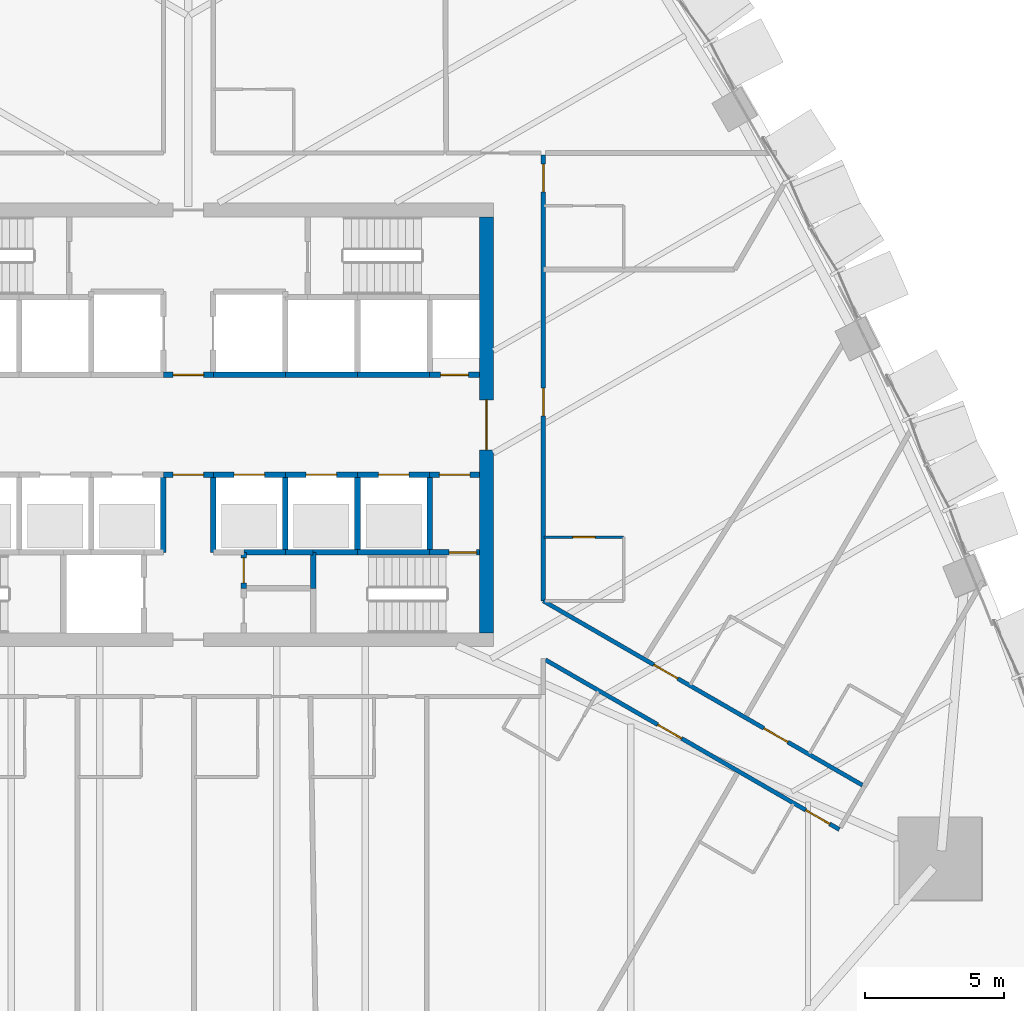
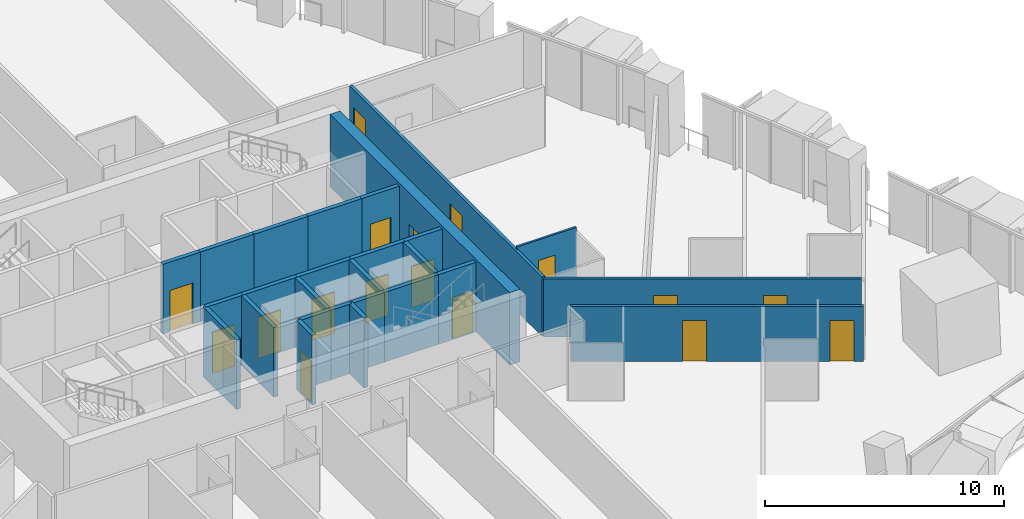
# One storey, part 16 of 23: 27 walls, 17 doors, 17 openings.
"""IFC4 building model written with IfcOpenShell, lengths in metres."""

from ifc_helpers import new_model, si_unit, direction, frame, frame_2d, origin, place, context, subcontext, project, spatial, rectangle, extrude, material, layer, layer_set, type_object, element, fill, save


model = new_model("IFC4")

# Units and contexts
model_context = context("Model", 3, precision=1e-05, world=origin(), true_north=direction((0.0, 1.0)))
body_context = subcontext(model_context, "Body", "Model", "MODEL_VIEW")
ifc_project = project(units=[si_unit("LENGTHUNIT", "METRE"), si_unit("AREAUNIT", "SQUARE_METRE"), si_unit("VOLUMEUNIT", "CUBIC_METRE"), si_unit("PLANEANGLEUNIT", "RADIAN"), si_unit("MASSUNIT", "GRAM", prefix="KILO")], contexts=[model_context])

# Site, building, storey
site_placement = place(None, origin())
site = spatial("IfcSite", under=ifc_project, at=site_placement, CompositionType="ELEMENT")
building_placement = place(site_placement, origin())
building = spatial("IfcBuilding", under=site, at=building_placement, Name="Sierra Prisma Convention Tower", CompositionType="ELEMENT")
storey_placement = place(building_placement, frame((0.0, 0.0, 51.699951171875)))
storey = spatial("IfcBuildingStorey", under=building, at=storey_placement, Name="L08", CompositionType="ELEMENT", Elevation=51.699951171875)

# Wall, opening, door
ifc_material_1 = material(Name="Gypsum board partition", Category="gypsum")
ifc_layer_1 = layer(ifc_material_1, 0.10009765625)
ifc_layer_set_1 = layer_set([ifc_layer_1], Name="Bathroom partition 100")
wall_type_1 = type_object("IfcWallType", Name="Bathroom partition 100", PredefinedType="PARTITIONING", material=ifc_layer_set_1)
wall_1_placement = place(storey_placement, frame((12.830078125, -4.05078125, 0.0), z_axis=(0.0, 0.0, 1.0), x_axis=(1.0, 0.0, 0.0)))
wall_1 = element("IfcWall", 1, at=wall_1_placement, inside=storey, type_object=wall_type_1, Name="Partition L08 bath 28", PredefinedType="PARTITIONING", context=body_context, shape_type="SweptSolid", body=[
    extrude(rectangle(XDim=2.869873046875, YDim=0.10009765625, at=frame_2d((1.43505859375, 0.0))), origin(), (0.0, 0.0, 1.0), 3.150146484375),
])
opening_1_placement = place(wall_1_placement, frame((1.034912109375, 0.0, 0.0)))
opening_1 = element("IfcOpeningElement", 2, at=opening_1_placement, cuts=wall_1, Name="Opening L08-D001", PredefinedType="OPENING", context=body_context, shape_type="SweptSolid", body=[
    extrude(rectangle(XDim=0.800048828125, YDim=2.10009765625, at=frame_2d((0.39990234375, 1.050048828125))), frame((0.0, 0.050048828125, 0.0), z_axis=(0.0, -1.0, 0.0), x_axis=(1.0, 0.0, 0.0)), (0.0, 0.0, 1.0), 0.10009765625),
])
ifc_material_2 = material(Name="Solid core timber door leaf", Category="wood")
door_type_1 = type_object("IfcDoorType", Name="Door 800x2100 plain", OperationType="SINGLE_SWING_LEFT", PredefinedType="DOOR", material=ifc_material_2)
door_1_placement = place(opening_1_placement, origin())
door_1 = element("IfcDoor", 3, at=door_1_placement, inside=storey, type_object=door_type_1, Name="Door L08 2", OperationType="SINGLE_SWING_LEFT", OverallHeight=2.10009765625, OverallWidth=0.800048828125, PredefinedType="DOOR", context=body_context, shape_type="SweptSolid", body=[
    extrude(rectangle(XDim=0.800048828125, YDim=2.10009765625, at=frame_2d((0.39990234375, 1.050048828125))), frame((0.0, 0.02490234375, 0.0), z_axis=(0.0, -1.0, 0.0), x_axis=(1.0, 0.0, 0.0)), (0.0, 0.0, 1.0), 0.050048828125),
])
fill(opening_1, door_1)

# Wall
ifc_material_3 = material(Name="Concrete C30/37", Category="concrete")
ifc_layer_2 = layer(ifc_material_3, 0.199951171875)
ifc_layer_set_2 = layer_set([ifc_layer_2], Name="Core wall RC 200 C30/37")
wall_type_2 = type_object("IfcWallType", Name="Core wall RC 200 C30/37", PredefinedType="SOLIDWALL", material=ifc_layer_set_2)
wall_2_placement = place(storey_placement, frame((-0.89990234375, -4.60009765625, 0.0), z_axis=(0.0, 0.0, 1.0), x_axis=(0.0, 1.0, 0.0)))
element("IfcWall", 4, at=wall_2_placement, inside=storey, type_object=wall_type_2, Name="Core wall L08 31", PredefinedType="SOLIDWALL", context=body_context, shape_type="SweptSolid", body=[
    extrude(rectangle(XDim=2.800048828125, YDim=0.199951171875, at=frame_2d((1.39990234375, 0.0))), origin(), (0.0, 0.0, 1.0), 3.550048828125),
])

# Wall, opening, door
wall_3_placement = place(storey_placement, frame((-0.89990234375, -1.800048828125, 0.0), z_axis=(0.0, 0.0, 1.0), x_axis=(1.0, 0.0, 0.0)))
wall_3 = element("IfcWall", 5, at=wall_3_placement, inside=storey, type_object=wall_type_2, Name="Core wall L08 32", PredefinedType="SOLIDWALL", context=body_context, shape_type="SweptSolid", body=[
    extrude(rectangle(XDim=1.7998046875, YDim=0.199951171875, at=frame_2d((0.89990234375, 0.0))), origin(), (0.0, 0.0, 1.0), 3.550048828125),
])
opening_2_placement = place(wall_3_placement, frame((0.35009765625, 0.0, 0.0)))
opening_2 = element("IfcOpeningElement", 6, at=opening_2_placement, cuts=wall_3, Name="Opening L08-D030", PredefinedType="OPENING", context=body_context, shape_type="SweptSolid", body=[
    extrude(rectangle(XDim=1.10009765625, YDim=2.10009765625, at=frame_2d((0.550048828125, 1.050048828125))), frame((0.0, 0.10009765625, 0.0), z_axis=(0.0, -1.0, 0.0), x_axis=(1.0, 0.0, 0.0)), (0.0, 0.0, 1.0), 0.199951171875),
])
ifc_material_4 = material(Name="Steel fire door leaf", Category="steel")
door_type_2 = type_object("IfcDoorType", Name="Door 1100x2100 FD30S", OperationType="SINGLE_SWING_LEFT", PredefinedType="DOOR", material=ifc_material_4)
door_2_placement = place(opening_2_placement, origin())
door_2 = element("IfcDoor", 7, at=door_2_placement, inside=storey, type_object=door_type_2, Name="Door L08 50", OperationType="SINGLE_SWING_LEFT", OverallHeight=2.10009765625, OverallWidth=1.10009765625, PredefinedType="DOOR", context=body_context, shape_type="SweptSolid", body=[
    extrude(rectangle(XDim=1.10009765625, YDim=2.10009765625, at=frame_2d((0.550048828125, 1.050048828125))), frame((0.0, 0.02490234375, 0.0), z_axis=(0.0, -1.0, 0.0), x_axis=(1.0, 0.0, 0.0)), (0.0, 0.0, 1.0), 0.050048828125),
])
fill(opening_2, door_2)

wall_4_placement = place(storey_placement, frame((0.89990234375, 1.800048828125, 0.0), z_axis=(0.0, 0.0, 1.0), x_axis=(-1.0, 0.0, 0.0)))
wall_4 = element("IfcWall", 8, at=wall_4_placement, inside=storey, type_object=wall_type_2, Name="Core wall L08 33", PredefinedType="SOLIDWALL", context=body_context, shape_type="SweptSolid", body=[
    extrude(rectangle(XDim=1.7998046875, YDim=0.199951171875, at=frame_2d((0.89990234375, 0.0))), origin(), (0.0, 0.0, 1.0), 3.550048828125),
])
opening_3_placement = place(wall_4_placement, frame((0.35009765625, 0.0, 0.0)))
opening_3 = element("IfcOpeningElement", 9, at=opening_3_placement, cuts=wall_4, Name="Opening L08-D029", PredefinedType="OPENING", context=body_context, shape_type="SweptSolid", body=[
    extrude(rectangle(XDim=1.10009765625, YDim=2.10009765625, at=frame_2d((0.550048828125, 1.050048828125))), frame((0.0, 0.10009765625, 0.0), z_axis=(0.0, -1.0, 0.0), x_axis=(1.0, 0.0, 0.0)), (0.0, 0.0, 1.0), 0.199951171875),
])
ifc_material_5 = material(Name="Steel fire door leaf", Category="steel")
door_type_3 = type_object("IfcDoorType", Name="Door 1100x2100 FD60S", OperationType="SINGLE_SWING_LEFT", PredefinedType="DOOR", material=ifc_material_5)
door_3_placement = place(opening_3_placement, origin())
door_3 = element("IfcDoor", 10, at=door_3_placement, inside=storey, type_object=door_type_3, Name="Door L08 49", OperationType="SINGLE_SWING_RIGHT", OverallHeight=2.10009765625, OverallWidth=1.10009765625, PredefinedType="DOOR", context=body_context, shape_type="SweptSolid", body=[
    extrude(rectangle(XDim=1.10009765625, YDim=2.10009765625, at=frame_2d((0.550048828125, 1.050048828125))), frame((0.0, 0.02490234375, 0.0), z_axis=(0.0, -1.0, 0.0), x_axis=(1.0, 0.0, 0.0)), (0.0, 0.0, 1.0), 0.050048828125),
])
fill(opening_3, door_3)

wall_5_placement = place(storey_placement, frame((0.89990234375, -1.800048828125, 0.0), z_axis=(0.0, 0.0, 1.0), x_axis=(1.0, 0.0, 0.0)))
wall_5 = element("IfcWall", 11, at=wall_5_placement, inside=storey, type_object=wall_type_2, Name="Core wall L08 34", PredefinedType="SOLIDWALL", context=body_context, shape_type="SweptSolid", body=[
    extrude(rectangle(XDim=2.60009765625, YDim=0.199951171875, at=frame_2d((1.300048828125, 0.0))), origin(), (0.0, 0.0, 1.0), 3.550048828125),
])
opening_4_placement = place(wall_5_placement, frame((0.75, 0.0, 0.0)))
opening_4 = element("IfcOpeningElement", 12, at=opening_4_placement, cuts=wall_5, Name="Opening L08-D021", PredefinedType="OPENING", context=body_context, shape_type="SweptSolid", body=[
    extrude(rectangle(XDim=1.10009765625, YDim=2.10009765625, at=frame_2d((0.550048828125, 1.050048828125))), frame((0.0, 0.10009765625, 0.0), z_axis=(0.0, -1.0, 0.0), x_axis=(1.0, 0.0, 0.0)), (0.0, 0.0, 1.0), 0.199951171875),
])
ifc_material_6 = material(Name="Steel fire door leaf", Category="steel")
door_type_4 = type_object("IfcDoorType", Name="Door 1100x2100 EI 90 sliding lift landing", OperationType="SLIDING_TO_LEFT", PredefinedType="DOOR", material=ifc_material_6)
door_4_placement = place(opening_4_placement, origin())
door_4 = element("IfcDoor", 13, at=door_4_placement, inside=storey, type_object=door_type_4, Name="Door L08 41", OperationType="SLIDING_TO_LEFT", OverallHeight=2.10009765625, OverallWidth=1.10009765625, PredefinedType="DOOR", context=body_context, shape_type="SweptSolid", body=[
    extrude(rectangle(XDim=1.10009765625, YDim=2.10009765625, at=frame_2d((0.550048828125, 1.050048828125))), frame((0.0, 0.02490234375, 0.0), z_axis=(0.0, -1.0, 0.0), x_axis=(1.0, 0.0, 0.0)), (0.0, 0.0, 1.0), 0.050048828125),
])
fill(opening_4, door_4)

# Walls
wall_6_placement = place(storey_placement, frame((0.89990234375, -1.800048828125, 0.0), z_axis=(0.0, 0.0, 1.0), x_axis=(0.0, -1.0, 0.0)))
element("IfcWall", 14, at=wall_6_placement, inside=storey, type_object=wall_type_2, Name="Core wall L08 35", PredefinedType="SOLIDWALL", context=body_context, shape_type="SweptSolid", body=[
    extrude(rectangle(XDim=2.800048828125, YDim=0.199951171875, at=frame_2d((1.39990234375, 0.0))), origin(), (0.0, 0.0, 1.0), 3.550048828125),
])
wall_7_placement = place(storey_placement, frame((3.5, 1.800048828125, 0.0), z_axis=(0.0, 0.0, 1.0), x_axis=(-1.0, 0.0, 0.0)))
element("IfcWall", 15, at=wall_7_placement, inside=storey, type_object=wall_type_2, Name="Core wall L08 37", PredefinedType="SOLIDWALL", context=body_context, shape_type="SweptSolid", body=[
    extrude(rectangle(XDim=2.60009765625, YDim=0.199951171875, at=frame_2d((1.300048828125, 0.0))), origin(), (0.0, 0.0, 1.0), 3.550048828125),
])

# Wall, opening, door
wall_8_placement = place(storey_placement, frame((2.0, -4.60009765625, 0.0), z_axis=(0.0, 0.0, 1.0), x_axis=(0.0, -1.0, 0.0)))
wall_8 = element("IfcWall", 16, at=wall_8_placement, inside=storey, type_object=wall_type_2, Name="Core wall L08 43", PredefinedType="SOLIDWALL", context=body_context, shape_type="SweptSolid", body=[
    extrude(rectangle(XDim=1.2998046875, YDim=0.199951171875, at=frame_2d((0.64990234375, 0.0))), origin(), (0.0, 0.0, 1.0), 3.550048828125),
])
opening_5_placement = place(wall_8_placement, frame((0.199951171875, 0.0, 0.0)))
opening_5 = element("IfcOpeningElement", 17, at=opening_5_placement, cuts=wall_8, Name="Opening L08-D038", PredefinedType="OPENING", context=body_context, shape_type="SweptSolid", body=[
    extrude(rectangle(XDim=0.89990234375, YDim=2.10009765625, at=frame_2d((0.449951171875, 1.050048828125))), frame((0.0, 0.10009765625, 0.0), z_axis=(0.0, -1.0, 0.0), x_axis=(1.0, 0.0, 0.0)), (0.0, 0.0, 1.0), 0.199951171875),
])
ifc_material_7 = material(Name="Steel fire door leaf", Category="steel")
door_type_5 = type_object("IfcDoorType", Name="Door 900x2100 FD30S", OperationType="SINGLE_SWING_LEFT", PredefinedType="DOOR", material=ifc_material_7)
door_5_placement = place(opening_5_placement, origin())
door_5 = element("IfcDoor", 18, at=door_5_placement, inside=storey, type_object=door_type_5, Name="Door L08 58", OperationType="SINGLE_SWING_LEFT", OverallHeight=2.10009765625, OverallWidth=0.89990234375, PredefinedType="DOOR", context=body_context, shape_type="SweptSolid", body=[
    extrude(rectangle(XDim=0.89990234375, YDim=2.10009765625, at=frame_2d((0.449951171875, 1.050048828125))), frame((0.0, 0.02490234375, 0.0), z_axis=(0.0, -1.0, 0.0), x_axis=(1.0, 0.0, 0.0)), (0.0, 0.0, 1.0), 0.050048828125),
])
fill(opening_5, door_5)

# Walls
wall_9_placement = place(storey_placement, frame((3.5, -4.60009765625, 0.0), z_axis=(0.0, 0.0, 1.0), x_axis=(-1.0, 0.0, 0.0)))
element("IfcWall", 19, at=wall_9_placement, inside=storey, type_object=wall_type_2, Name="Core wall L08 44", PredefinedType="SOLIDWALL", context=body_context, shape_type="SweptSolid", body=[
    extrude(rectangle(XDim=1.5, YDim=0.199951171875, at=frame_2d((0.75, 0.0))), origin(), (0.0, 0.0, 1.0), 3.550048828125),
])
wall_10_placement = place(storey_placement, frame((4.5, -4.60009765625, 0.0), z_axis=(0.0, 0.0, 1.0), x_axis=(-1.0, 0.0, 0.0)))
element("IfcWall", 20, at=wall_10_placement, inside=storey, type_object=wall_type_2, Name="Core wall L08 45", PredefinedType="SOLIDWALL", context=body_context, shape_type="SweptSolid", body=[
    extrude(rectangle(XDim=1.0, YDim=0.199951171875, at=frame_2d((0.5, 0.0))), origin(), (0.0, 0.0, 1.0), 3.550048828125),
])
wall_11_placement = place(storey_placement, frame((3.5, -4.60009765625, 0.0), z_axis=(0.0, 0.0, 1.0), x_axis=(0.0, 1.0, 0.0)))
element("IfcWall", 21, at=wall_11_placement, inside=storey, type_object=wall_type_2, Name="Core wall L08 46", PredefinedType="SOLIDWALL", context=body_context, shape_type="SweptSolid", body=[
    extrude(rectangle(XDim=2.800048828125, YDim=0.199951171875, at=frame_2d((1.39990234375, 0.0))), origin(), (0.0, 0.0, 1.0), 3.550048828125),
])

# Wall, opening, door
wall_12_placement = place(storey_placement, frame((3.5, -1.800048828125, 0.0), z_axis=(0.0, 0.0, 1.0), x_axis=(1.0, 0.0, 0.0)))
wall_12 = element("IfcWall", 22, at=wall_12_placement, inside=storey, type_object=wall_type_2, Name="Core wall L08 47", PredefinedType="SOLIDWALL", context=body_context, shape_type="SweptSolid", body=[
    extrude(rectangle(XDim=2.60009765625, YDim=0.199951171875, at=frame_2d((1.300048828125, 0.0))), origin(), (0.0, 0.0, 1.0), 3.550048828125),
])
opening_6_placement = place(wall_12_placement, frame((0.75, 0.0, 0.0)))
opening_6 = element("IfcOpeningElement", 23, at=opening_6_placement, cuts=wall_12, Name="Opening L08-D022", PredefinedType="OPENING", context=body_context, shape_type="SweptSolid", body=[
    extrude(rectangle(XDim=1.10009765625, YDim=2.10009765625, at=frame_2d((0.550048828125, 1.050048828125))), frame((0.0, 0.10009765625, 0.0), z_axis=(0.0, -1.0, 0.0), x_axis=(1.0, 0.0, 0.0)), (0.0, 0.0, 1.0), 0.199951171875),
])
door_6_placement = place(opening_6_placement, origin())
door_6 = element("IfcDoor", 24, at=door_6_placement, inside=storey, type_object=door_type_4, Name="Door L08 42", OperationType="SLIDING_TO_LEFT", OverallHeight=2.10009765625, OverallWidth=1.10009765625, PredefinedType="DOOR", context=body_context, shape_type="SweptSolid", body=[
    extrude(rectangle(XDim=1.10009765625, YDim=2.10009765625, at=frame_2d((0.550048828125, 1.050048828125))), frame((0.0, 0.02490234375, 0.0), z_axis=(0.0, -1.0, 0.0), x_axis=(1.0, 0.0, 0.0)), (0.0, 0.0, 1.0), 0.050048828125),
])
fill(opening_6, door_6)

# Walls
wall_13_placement = place(storey_placement, frame((6.10009765625, 1.800048828125, 0.0), z_axis=(0.0, 0.0, 1.0), x_axis=(-1.0, 0.0, 0.0)))
element("IfcWall", 25, at=wall_13_placement, inside=storey, type_object=wall_type_2, Name="Core wall L08 48", PredefinedType="SOLIDWALL", context=body_context, shape_type="SweptSolid", body=[
    extrude(rectangle(XDim=2.60009765625, YDim=0.199951171875, at=frame_2d((1.300048828125, 0.0))), origin(), (0.0, 0.0, 1.0), 3.550048828125),
])
wall_14_placement = place(storey_placement, frame((4.5, -5.89990234375, 0.0), z_axis=(0.0, 0.0, 1.0), x_axis=(0.0, 1.0, 0.0)))
element("IfcWall", 26, at=wall_14_placement, inside=storey, type_object=wall_type_2, Name="Core wall L08 54", PredefinedType="SOLIDWALL", context=body_context, shape_type="SweptSolid", body=[
    extrude(rectangle(XDim=1.2998046875, YDim=0.199951171875, at=frame_2d((0.64990234375, 0.0))), origin(), (0.0, 0.0, 1.0), 3.550048828125),
])
wall_15_placement = place(storey_placement, frame((4.5, -4.60009765625, 0.0), z_axis=(0.0, 0.0, 1.0), x_axis=(1.0, 0.0, 0.0)))
element("IfcWall", 27, at=wall_15_placement, inside=storey, type_object=wall_type_2, Name="Core wall L08 55", PredefinedType="SOLIDWALL", context=body_context, shape_type="SweptSolid", body=[
    extrude(rectangle(XDim=1.60009765625, YDim=0.199951171875, at=frame_2d((0.800048828125, 0.0))), origin(), (0.0, 0.0, 1.0), 3.550048828125),
])
wall_16_placement = place(storey_placement, frame((6.10009765625, -4.60009765625, 0.0), z_axis=(0.0, 0.0, 1.0), x_axis=(1.0, 0.0, 0.0)))
element("IfcWall", 28, at=wall_16_placement, inside=storey, type_object=wall_type_2, Name="Core wall L08 56", PredefinedType="SOLIDWALL", context=body_context, shape_type="SweptSolid", body=[
    extrude(rectangle(XDim=2.599853515625, YDim=0.199951171875, at=frame_2d((1.2998046875, 0.0))), origin(), (0.0, 0.0, 1.0), 3.550048828125),
])
wall_17_placement = place(storey_placement, frame((6.10009765625, -4.60009765625, 0.0), z_axis=(0.0, 0.0, 1.0), x_axis=(0.0, 1.0, 0.0)))
element("IfcWall", 29, at=wall_17_placement, inside=storey, type_object=wall_type_2, Name="Core wall L08 57", PredefinedType="SOLIDWALL", context=body_context, shape_type="SweptSolid", body=[
    extrude(rectangle(XDim=2.800048828125, YDim=0.199951171875, at=frame_2d((1.39990234375, 0.0))), origin(), (0.0, 0.0, 1.0), 3.550048828125),
])

# Wall, opening, door
wall_18_placement = place(storey_placement, frame((6.10009765625, -1.800048828125, 0.0), z_axis=(0.0, 0.0, 1.0), x_axis=(1.0, 0.0, 0.0)))
wall_18 = element("IfcWall", 30, at=wall_18_placement, inside=storey, type_object=wall_type_2, Name="Core wall L08 58", PredefinedType="SOLIDWALL", context=body_context, shape_type="SweptSolid", body=[
    extrude(rectangle(XDim=2.599853515625, YDim=0.199951171875, at=frame_2d((1.2998046875, 0.0))), origin(), (0.0, 0.0, 1.0), 3.550048828125),
])
opening_7_placement = place(wall_18_placement, frame((0.75, 0.0, 0.0)))
opening_7 = element("IfcOpeningElement", 31, at=opening_7_placement, cuts=wall_18, Name="Opening L08-D023", PredefinedType="OPENING", context=body_context, shape_type="SweptSolid", body=[
    extrude(rectangle(XDim=1.10009765625, YDim=2.10009765625, at=frame_2d((0.550048828125, 1.050048828125))), frame((0.0, 0.10009765625, 0.0), z_axis=(0.0, -1.0, 0.0), x_axis=(1.0, 0.0, 0.0)), (0.0, 0.0, 1.0), 0.199951171875),
])
door_7_placement = place(opening_7_placement, origin())
door_7 = element("IfcDoor", 32, at=door_7_placement, inside=storey, type_object=door_type_4, Name="Door L08 43", OperationType="SLIDING_TO_LEFT", OverallHeight=2.10009765625, OverallWidth=1.10009765625, PredefinedType="DOOR", context=body_context, shape_type="SweptSolid", body=[
    extrude(rectangle(XDim=1.10009765625, YDim=2.10009765625, at=frame_2d((0.550048828125, 1.050048828125))), frame((0.0, 0.02490234375, 0.0), z_axis=(0.0, -1.0, 0.0), x_axis=(1.0, 0.0, 0.0)), (0.0, 0.0, 1.0), 0.050048828125),
])
fill(opening_7, door_7)

# Wall
wall_19_placement = place(storey_placement, frame((8.699951171875, 1.800048828125, 0.0), z_axis=(0.0, 0.0, 1.0), x_axis=(-1.0, 0.0, 0.0)))
element("IfcWall", 33, at=wall_19_placement, inside=storey, type_object=wall_type_2, Name="Core wall L08 59", PredefinedType="SOLIDWALL", context=body_context, shape_type="SweptSolid", body=[
    extrude(rectangle(XDim=2.599853515625, YDim=0.199951171875, at=frame_2d((1.2998046875, 0.0))), origin(), (0.0, 0.0, 1.0), 3.550048828125),
])

# Wall, opening, door
wall_20_placement = place(storey_placement, frame((8.699951171875, -4.60009765625, 0.0), z_axis=(0.0, 0.0, 1.0), x_axis=(1.0, 0.0, 0.0)))
wall_20 = element("IfcWall", 34, at=wall_20_placement, inside=storey, type_object=wall_type_2, Name="Core wall L08 62", PredefinedType="SOLIDWALL", context=body_context, shape_type="SweptSolid", body=[
    extrude(rectangle(XDim=1.800048828125, YDim=0.199951171875, at=frame_2d((0.89990234375, 0.0))), origin(), (0.0, 0.0, 1.0), 3.550048828125),
])
opening_8_placement = place(wall_20_placement, frame((0.699951171875, 0.0, 0.0)))
opening_8 = element("IfcOpeningElement", 35, at=opening_8_placement, cuts=wall_20, Name="Opening L08-D034", PredefinedType="OPENING", context=body_context, shape_type="SweptSolid", body=[
    extrude(rectangle(XDim=1.0, YDim=2.10009765625, at=frame_2d((0.5, 1.050048828125))), frame((0.0, 0.10009765625, 0.0), z_axis=(0.0, -1.0, 0.0), x_axis=(1.0, 0.0, 0.0)), (0.0, 0.0, 1.0), 0.199951171875),
])
ifc_material_8 = material(Name="Steel fire door leaf", Category="steel")
door_type_6 = type_object("IfcDoorType", Name="Door 1000x2100 FD90S", OperationType="SINGLE_SWING_LEFT", PredefinedType="DOOR", material=ifc_material_8)
door_8_placement = place(opening_8_placement, origin())
door_8 = element("IfcDoor", 36, at=door_8_placement, inside=storey, type_object=door_type_6, Name="Door L08 54", OperationType="SINGLE_SWING_RIGHT", OverallHeight=2.10009765625, OverallWidth=1.0, PredefinedType="DOOR", context=body_context, shape_type="SweptSolid", body=[
    extrude(rectangle(XDim=1.0, YDim=2.10009765625, at=frame_2d((0.5, 1.050048828125))), frame((0.0, 0.02490234375, 0.0), z_axis=(0.0, -1.0, 0.0), x_axis=(1.0, 0.0, 0.0)), (0.0, 0.0, 1.0), 0.050048828125),
])
fill(opening_8, door_8)

# Wall
wall_21_placement = place(storey_placement, frame((8.699951171875, -1.800048828125, 0.0), z_axis=(0.0, 0.0, 1.0), x_axis=(0.0, -1.0, 0.0)))
element("IfcWall", 37, at=wall_21_placement, inside=storey, type_object=wall_type_2, Name="Core wall L08 63", PredefinedType="SOLIDWALL", context=body_context, shape_type="SweptSolid", body=[
    extrude(rectangle(XDim=2.800048828125, YDim=0.199951171875, at=frame_2d((1.39990234375, 0.0))), origin(), (0.0, 0.0, 1.0), 3.550048828125),
])

# Wall, opening, door
wall_22_placement = place(storey_placement, frame((8.699951171875, -1.800048828125, 0.0), z_axis=(0.0, 0.0, 1.0), x_axis=(1.0, 0.0, 0.0)))
wall_22 = element("IfcWall", 38, at=wall_22_placement, inside=storey, type_object=wall_type_2, Name="Core wall L08 64", PredefinedType="SOLIDWALL", context=body_context, shape_type="SweptSolid", body=[
    extrude(rectangle(XDim=1.800048828125, YDim=0.199951171875, at=frame_2d((0.89990234375, 0.0))), origin(), (0.0, 0.0, 1.0), 3.550048828125),
])
opening_9_placement = place(wall_22_placement, frame((0.35009765625, 0.0, 0.0)))
opening_9 = element("IfcOpeningElement", 39, at=opening_9_placement, cuts=wall_22, Name="Opening L08-D028", PredefinedType="OPENING", context=body_context, shape_type="SweptSolid", body=[
    extrude(rectangle(XDim=1.10009765625, YDim=2.10009765625, at=frame_2d((0.550048828125, 1.050048828125))), frame((0.0, 0.10009765625, 0.0), z_axis=(0.0, -1.0, 0.0), x_axis=(1.0, 0.0, 0.0)), (0.0, 0.0, 1.0), 0.199951171875),
])
ifc_material_9 = material(Name="Steel fire door leaf", Category="steel")
door_type_7 = type_object("IfcDoorType", Name="Door 1100x2100 FD90S", OperationType="SINGLE_SWING_LEFT", PredefinedType="DOOR", material=ifc_material_9)
door_9_placement = place(opening_9_placement, origin())
door_9 = element("IfcDoor", 40, at=door_9_placement, inside=storey, type_object=door_type_7, Name="Door L08 48", OperationType="SINGLE_SWING_RIGHT", OverallHeight=2.10009765625, OverallWidth=1.10009765625, PredefinedType="DOOR", context=body_context, shape_type="SweptSolid", body=[
    extrude(rectangle(XDim=1.10009765625, YDim=2.10009765625, at=frame_2d((0.550048828125, 1.050048828125))), frame((0.0, 0.02490234375, 0.0), z_axis=(0.0, -1.0, 0.0), x_axis=(1.0, 0.0, 0.0)), (0.0, 0.0, 1.0), 0.050048828125),
])
fill(opening_9, door_9)

wall_23_placement = place(storey_placement, frame((10.5, 1.800048828125, 0.0), z_axis=(0.0, 0.0, 1.0), x_axis=(-1.0, 0.0, 0.0)))
wall_23 = element("IfcWall", 41, at=wall_23_placement, inside=storey, type_object=wall_type_2, Name="Core wall L08 65", PredefinedType="SOLIDWALL", context=body_context, shape_type="SweptSolid", body=[
    extrude(rectangle(XDim=1.800048828125, YDim=0.199951171875, at=frame_2d((0.89990234375, 0.0))), origin(), (0.0, 0.0, 1.0), 3.550048828125),
])
opening_10_placement = place(wall_23_placement, frame((0.39990234375, 0.0, 0.0)))
opening_10 = element("IfcOpeningElement", 42, at=opening_10_placement, cuts=wall_23, Name="Opening L08-D032", PredefinedType="OPENING", context=body_context, shape_type="SweptSolid", body=[
    extrude(rectangle(XDim=1.0, YDim=2.10009765625, at=frame_2d((0.5, 1.050048828125))), frame((0.0, 0.10009765625, 0.0), z_axis=(0.0, -1.0, 0.0), x_axis=(1.0, 0.0, 0.0)), (0.0, 0.0, 1.0), 0.199951171875),
])
ifc_material_10 = material(Name="Steel fire door leaf", Category="steel")
door_type_8 = type_object("IfcDoorType", Name="Door 1000x2100 FD60S", OperationType="SINGLE_SWING_LEFT", PredefinedType="DOOR", material=ifc_material_10)
door_10_placement = place(opening_10_placement, origin())
door_10 = element("IfcDoor", 43, at=door_10_placement, inside=storey, type_object=door_type_8, Name="Door L08 52", OperationType="SINGLE_SWING_RIGHT", OverallHeight=2.10009765625, OverallWidth=1.0, PredefinedType="DOOR", context=body_context, shape_type="SweptSolid", body=[
    extrude(rectangle(XDim=1.0, YDim=2.10009765625, at=frame_2d((0.5, 1.050048828125))), frame((0.0, 0.02490234375, 0.0), z_axis=(0.0, -1.0, 0.0), x_axis=(1.0, 0.0, 0.0)), (0.0, 0.0, 1.0), 0.050048828125),
])
fill(opening_10, door_10)

ifc_material_11 = material(Name="Concrete C60/75", Category="concrete")
ifc_layer_3 = layer(ifc_material_11, 0.5)
ifc_layer_set_3 = layer_set([ifc_layer_3], Name="Core wall RC 500 C60/75")
wall_type_3 = type_object("IfcWallType", Name="Core wall RC 500 C60/75", PredefinedType="SHEAR", material=ifc_layer_set_3)
wall_24_placement = place(storey_placement, frame((10.75, -7.5, 0.0), z_axis=(0.0, 0.0, 1.0), x_axis=(0.0, 1.0, 0.0)))
wall_24 = element("IfcWall", 44, at=wall_24_placement, inside=storey, type_object=wall_type_3, Name="Core wall E L08", PredefinedType="SHEAR", context=body_context, shape_type="SweptSolid", body=[
    extrude(rectangle(XDim=15.0, YDim=0.5, at=frame_2d((7.5, 0.0))), origin(), (0.0, 0.0, 1.0), 3.699951171875),
])
opening_11_placement = place(wall_24_placement, frame((6.60009765625, 0.0, 0.0)))
opening_11 = element("IfcOpeningElement", 45, at=opening_11_placement, cuts=wall_24, Name="Opening L08-D059", PredefinedType="OPENING", context=body_context, shape_type="SweptSolid", body=[
    extrude(rectangle(XDim=1.800048828125, YDim=2.10009765625, at=frame_2d((0.89990234375, 1.050048828125))), frame((0.0, 0.25, 0.0), z_axis=(0.0, -1.0, 0.0), x_axis=(1.0, 0.0, 0.0)), (0.0, 0.0, 1.0), 0.5),
])
ifc_material_12 = material(Name="Steel fire door leaf", Category="steel")
door_type_9 = type_object("IfcDoorType", Name="Door 1800x2100 FD60S", OperationType="DOUBLE_DOOR_SINGLE_SWING", PredefinedType="DOOR", material=ifc_material_12)
door_11_placement = place(opening_11_placement, origin())
door_11 = element("IfcDoor", 46, at=door_11_placement, inside=storey, type_object=door_type_9, Name="Door L08 60", OperationType="DOUBLE_DOOR_SINGLE_SWING", OverallHeight=2.10009765625, OverallWidth=1.800048828125, PredefinedType="DOOR", context=body_context, shape_type="SweptSolid", body=[
    extrude(rectangle(XDim=1.800048828125, YDim=2.10009765625, at=frame_2d((0.89990234375, 1.050048828125))), frame((0.0, 0.02490234375, 0.0), z_axis=(0.0, -1.0, 0.0), x_axis=(1.0, 0.0, 0.0)), (0.0, 0.0, 1.0), 0.050048828125),
])
fill(opening_11, door_11)

# Wall, openings, doors
ifc_material_13 = material(Name="Gypsum board partition", Category="gypsum")
ifc_layer_4 = layer(ifc_material_13, 0.14990234375)
ifc_layer_set_4 = layer_set([ifc_layer_4], Name="Corridor wall 150 gypsum EI 60")
wall_type_4 = type_object("IfcWallType", Name="Corridor wall 150 gypsum EI 60", PredefinedType="PARTITIONING", material=ifc_layer_set_4)
wall_25_placement = place(storey_placement, frame((12.87939453125, -8.47509765625, 0.0), z_axis=(0.0, 0.0, 1.0), x_axis=(0.866022744679, -0.500004605677, 0.0)))
wall_25 = element("IfcWall", 47, at=wall_25_placement, inside=storey, type_object=wall_type_4, Name="Partition L08 corr 15", PredefinedType="PARTITIONING", context=body_context, shape_type="SweptSolid", body=[
    extrude(rectangle(XDim=12.23388671875, YDim=0.14990234375, at=frame_2d((6.116943359375, 0.0))), origin(), (0.0, 0.0, 1.0), 2.797119140625),
])
opening_12_placement = place(wall_25_placement, frame((4.671142578125, 0.0, 0.0)))
opening_12 = element("IfcOpeningElement", 48, at=opening_12_placement, cuts=wall_25, Name="Opening L08-D055", PredefinedType="OPENING", context=body_context, shape_type="SweptSolid", body=[
    extrude(rectangle(XDim=1.0, YDim=2.10009765625, at=frame_2d((0.5, 1.050048828125))), frame((0.0, 0.074951171875, 0.0), z_axis=(0.0, -1.0, 0.0), x_axis=(1.0, 0.0, 0.0)), (0.0, 0.0, 1.0), 0.14990234375),
])
opening_13_placement = place(wall_25_placement, frame((10.833984375, 0.0, 0.0)))
opening_13 = element("IfcOpeningElement", 49, at=opening_13_placement, cuts=wall_25, Name="Opening L08-D056", PredefinedType="OPENING", context=body_context, shape_type="SweptSolid", body=[
    extrude(rectangle(XDim=1.0, YDim=2.10009765625, at=frame_2d((0.5, 1.050048828125))), frame((0.0, 0.074951171875, 0.0), z_axis=(0.0, -1.0, 0.0), x_axis=(1.0, 0.0, 0.0)), (0.0, 0.0, 1.0), 0.14990234375),
])
ifc_material_14 = material(Name="Steel fire door leaf", Category="steel")
door_type_10 = type_object("IfcDoorType", Name="Door 1000x2100 FD30S", OperationType="SINGLE_SWING_LEFT", PredefinedType="DOOR", material=ifc_material_14)
door_12_placement = place(opening_12_placement, origin())
door_12 = element("IfcDoor", 50, at=door_12_placement, inside=storey, type_object=door_type_10, Name="Door L08 30", OperationType="SINGLE_SWING_LEFT", OverallHeight=2.10009765625, OverallWidth=1.0, PredefinedType="DOOR", context=body_context, shape_type="SweptSolid", body=[
    extrude(rectangle(XDim=1.0, YDim=2.10009765625, at=frame_2d((0.5, 1.050048828125))), frame((0.0, 0.02490234375, 0.0), z_axis=(0.0, -1.0, 0.0), x_axis=(1.0, 0.0, 0.0)), (0.0, 0.0, 1.0), 0.050048828125),
])
fill(opening_12, door_12)
door_13_placement = place(opening_13_placement, origin())
door_13 = element("IfcDoor", 51, at=door_13_placement, inside=storey, type_object=door_type_10, Name="Door L08 32", OperationType="SINGLE_SWING_LEFT", OverallHeight=2.10009765625, OverallWidth=1.0, PredefinedType="DOOR", context=body_context, shape_type="SweptSolid", body=[
    extrude(rectangle(XDim=1.0, YDim=2.10009765625, at=frame_2d((0.5, 1.050048828125))), frame((0.0, 0.02490234375, 0.0), z_axis=(0.0, -1.0, 0.0), x_axis=(1.0, 0.0, 0.0)), (0.0, 0.0, 1.0), 0.050048828125),
])
fill(opening_13, door_13)

wall_26_placement = place(storey_placement, frame((24.304931640625, -12.9931640625, 0.0), z_axis=(0.0, 0.0, 1.0), x_axis=(-0.86602583418, 0.499999254532, 0.0)))
wall_26 = element("IfcWall", 52, at=wall_26_placement, inside=storey, type_object=wall_type_4, Name="Partition L08 corr 17", PredefinedType="PARTITIONING", context=body_context, shape_type="SweptSolid", body=[
    extrude(rectangle(XDim=13.28466796875, YDim=0.14990234375, at=frame_2d((6.642333984375, 0.0))), origin(), (0.0, 0.0, 1.0), 2.947021484375),
])
opening_14_placement = place(wall_26_placement, frame((3.102294921875, 0.0, 0.0)))
opening_14 = element("IfcOpeningElement", 53, at=opening_14_placement, cuts=wall_26, Name="Opening L08-D057", PredefinedType="OPENING", context=body_context, shape_type="SweptSolid", body=[
    extrude(rectangle(XDim=1.0, YDim=2.10009765625, at=frame_2d((0.5, 1.050048828125))), frame((0.0, 0.074951171875, 0.0), z_axis=(0.0, -1.0, 0.0), x_axis=(1.0, 0.0, 0.0)), (0.0, 0.0, 1.0), 0.14990234375),
])
opening_15_placement = place(wall_26_placement, frame((7.684814453125, 0.0, 0.0)))
opening_15 = element("IfcOpeningElement", 54, at=opening_15_placement, cuts=wall_26, Name="Opening L08-D058", PredefinedType="OPENING", context=body_context, shape_type="SweptSolid", body=[
    extrude(rectangle(XDim=1.0, YDim=2.10009765625, at=frame_2d((0.5, 1.050048828125))), frame((0.0, 0.074951171875, 0.0), z_axis=(0.0, -1.0, 0.0), x_axis=(1.0, 0.0, 0.0)), (0.0, 0.0, 1.0), 0.14990234375),
])
door_14_placement = place(opening_14_placement, origin())
door_14 = element("IfcDoor", 55, at=door_14_placement, inside=storey, type_object=door_type_10, Name="Door L08 34", OperationType="SINGLE_SWING_LEFT", OverallHeight=2.10009765625, OverallWidth=1.0, PredefinedType="DOOR", context=body_context, shape_type="SweptSolid", body=[
    extrude(rectangle(XDim=1.0, YDim=2.10009765625, at=frame_2d((0.5, 1.050048828125))), frame((0.0, 0.02490234375, 0.0), z_axis=(0.0, -1.0, 0.0), x_axis=(1.0, 0.0, 0.0)), (0.0, 0.0, 1.0), 0.050048828125),
])
fill(opening_14, door_14)
door_15_placement = place(opening_15_placement, origin())
door_15 = element("IfcDoor", 56, at=door_15_placement, inside=storey, type_object=door_type_10, Name="Door L08 36", OperationType="SINGLE_SWING_LEFT", OverallHeight=2.10009765625, OverallWidth=1.0, PredefinedType="DOOR", context=body_context, shape_type="SweptSolid", body=[
    extrude(rectangle(XDim=1.0, YDim=2.10009765625, at=frame_2d((0.5, 1.050048828125))), frame((0.0, 0.02490234375, 0.0), z_axis=(0.0, -1.0, 0.0), x_axis=(1.0, 0.0, 0.0)), (0.0, 0.0, 1.0), 0.050048828125),
])
fill(opening_15, door_15)

wall_27_placement = place(storey_placement, frame((12.800048828125, -6.350830078125, 0.0), z_axis=(0.0, 0.0, 1.0), x_axis=(0.0, 1.0, 0.0)))
wall_27 = element("IfcWall", 57, at=wall_27_placement, inside=storey, type_object=wall_type_4, Name="Partition L08 corr 18", PredefinedType="PARTITIONING", context=body_context, shape_type="SweptSolid", body=[
    extrude(rectangle(XDim=16.07080078125, YDim=0.14990234375, at=frame_2d((8.035400390625, 0.0))), origin(), (0.0, 0.0, 1.0), 3.01708984375),
])
opening_16_placement = place(wall_27_placement, frame((6.675537109375, 0.0, 0.0)))
opening_16 = element("IfcOpeningElement", 58, at=opening_16_placement, cuts=wall_27, Name="Opening L08-D039", PredefinedType="OPENING", context=body_context, shape_type="SweptSolid", body=[
    extrude(rectangle(XDim=1.0, YDim=2.10009765625, at=frame_2d((0.5, 1.050048828125))), frame((0.0, 0.074951171875, 0.0), z_axis=(0.0, -1.0, 0.0), x_axis=(1.0, 0.0, 0.0)), (0.0, 0.0, 1.0), 0.14990234375),
])
opening_17_placement = place(wall_27_placement, frame((14.7509765625, 0.0, 0.0)))
opening_17 = element("IfcOpeningElement", 59, at=opening_17_placement, cuts=wall_27, Name="Opening L08-D040", PredefinedType="OPENING", context=body_context, shape_type="SweptSolid", body=[
    extrude(rectangle(XDim=1.0, YDim=2.10009765625, at=frame_2d((0.5, 1.050048828125))), frame((0.0, 0.074951171875, 0.0), z_axis=(0.0, -1.0, 0.0), x_axis=(1.0, 0.0, 0.0)), (0.0, 0.0, 1.0), 0.14990234375),
])
door_16_placement = place(opening_16_placement, origin())
door_16 = element("IfcDoor", 60, at=door_16_placement, inside=storey, type_object=door_type_10, Name="Door L08 1", OperationType="SINGLE_SWING_LEFT", OverallHeight=2.10009765625, OverallWidth=1.0, PredefinedType="DOOR", context=body_context, shape_type="SweptSolid", body=[
    extrude(rectangle(XDim=1.0, YDim=2.10009765625, at=frame_2d((0.5, 1.050048828125))), frame((0.0, 0.02490234375, 0.0), z_axis=(0.0, -1.0, 0.0), x_axis=(1.0, 0.0, 0.0)), (0.0, 0.0, 1.0), 0.050048828125),
])
fill(opening_16, door_16)
door_17_placement = place(opening_17_placement, origin())
door_17 = element("IfcDoor", 61, at=door_17_placement, inside=storey, type_object=door_type_10, Name="Door L08 3", OperationType="SINGLE_SWING_LEFT", OverallHeight=2.10009765625, OverallWidth=1.0, PredefinedType="DOOR", context=body_context, shape_type="SweptSolid", body=[
    extrude(rectangle(XDim=1.0, YDim=2.10009765625, at=frame_2d((0.5, 1.050048828125))), frame((0.0, 0.02490234375, 0.0), z_axis=(0.0, -1.0, 0.0), x_axis=(1.0, 0.0, 0.0)), (0.0, 0.0, 1.0), 0.050048828125),
])
fill(opening_17, door_17)

save(model, "model.ifc")
